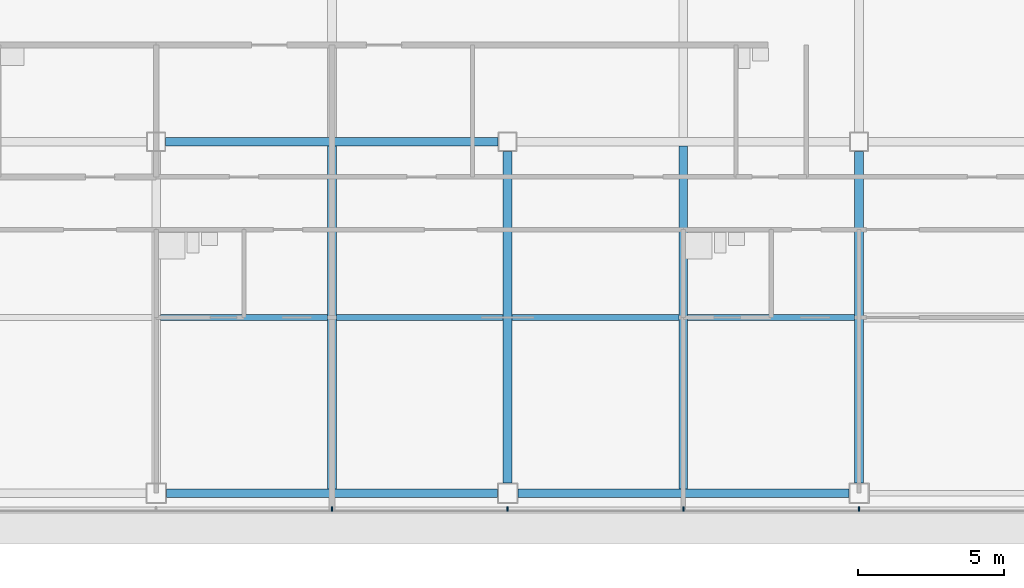
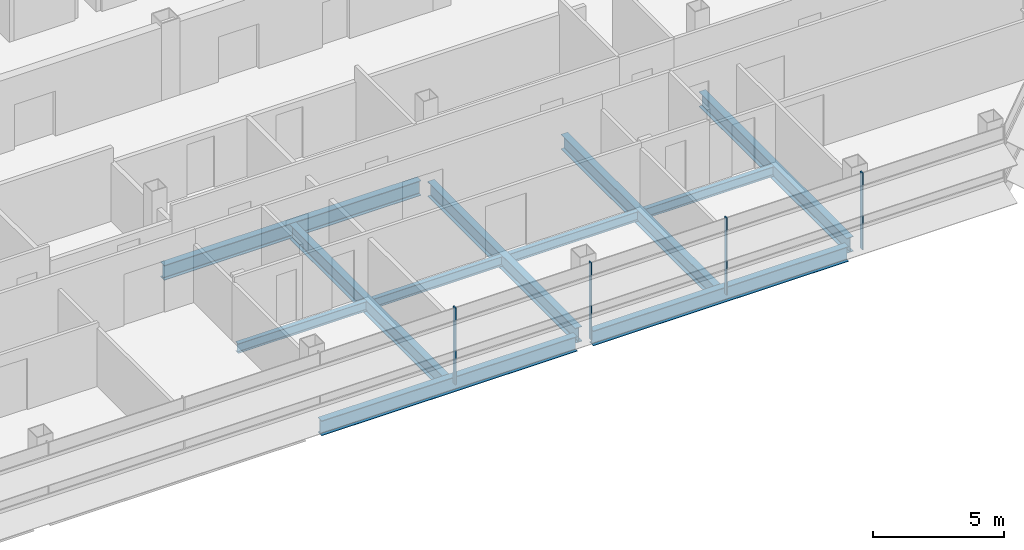
# One storey, part 8 of 24: 11 beams, 4 members, 1 element without a shape of its own.
"""IFC4 building model written with IfcOpenShell, lengths in metres."""

from ifc_helpers import new_model, si_unit, direction, frame, origin, origin_2d, place, context, subcontext, project, spatial, rectangle, i_section, extrude, material, material_profile, profile_set, type_object, element, aggregate, save


model = new_model("IFC4")

# Units and contexts
model_context = context("Model", 3, precision=1e-05, world=origin(), true_north=direction((0.0, 1.0)))
body_context = subcontext(model_context, "Body", "Model", "MODEL_VIEW")
ifc_project = project(units=[si_unit("LENGTHUNIT", "METRE"), si_unit("AREAUNIT", "SQUARE_METRE"), si_unit("VOLUMEUNIT", "CUBIC_METRE"), si_unit("PLANEANGLEUNIT", "RADIAN"), si_unit("MASSUNIT", "GRAM", prefix="KILO")], contexts=[model_context])

# Site, building, storey
site_placement = place(None, origin())
site = spatial("IfcSite", under=ifc_project, at=site_placement, CompositionType="ELEMENT")
building_placement = place(site_placement, origin())
building = spatial("IfcBuilding", under=site, at=building_placement, Name="Sorahane Residences", CompositionType="ELEMENT")
storey_placement = place(building_placement, frame((0.0, 0.0, 174.39990234375)))
storey = spatial("IfcBuildingStorey", under=building, at=storey_placement, Name="L40", CompositionType="ELEMENT", Elevation=174.39990234375)

# Curtain wall, members
ifc_material_1 = material(Name="Dark low-e glass and black anodised aluminium", Category="aluminium")
curtain_wall_type = type_object("IfcCurtainWallType", Name="Curtain wall CW-1 Typical unitised wall", PredefinedType="NOTDEFINED", material=ifc_material_1)
curtain_wall_placement = place(storey_placement, origin())
curtain_wall = element("IfcCurtainWall", 1, at=curtain_wall_placement, inside=storey, type_object=curtain_wall_type, Name="CW-1 curtain wall L40 S1", PredefinedType="NOTDEFINED")
ifc_material_2 = material(Name="Black anodised aluminium", Category="aluminium")
ifc_material_profile_1 = material_profile(ifc_material_2, rectangle(XDim=0.159912109375, YDim=0.050048828125, at=origin_2d()), Name="Curtain wall mullion CW-1 black anodised aluminium 50x160")
ifc_profile_set_1 = profile_set([ifc_material_profile_1], Name="Black anodised aluminium")
member_type = type_object("IfcMemberType", Name="Curtain wall mullion CW-1 black anodised aluminium 50x160", PredefinedType="MULLION", material=ifc_profile_set_1)
member_1_placement = place(storey_placement, frame((30.0, -0.5400390625, -0.179931640625), z_axis=(0.0, 0.0, 1.0), x_axis=(0.0, -1.0, 0.0)))
member_1 = element("IfcMember", 2, at=member_1_placement, type_object=member_type, Name="CW-1 mullion L40 S1.6", PredefinedType="MULLION", context=body_context, shape_type="SweptSolid", body=[
    extrude(rectangle(XDim=0.159912109375, YDim=0.050048828125, at=origin_2d()), origin(), (0.0, 0.0, 1.0), 3.60009765625),
])
member_2_placement = place(storey_placement, frame((36.0, -0.5400390625, -0.179931640625), z_axis=(0.0, 0.0, 1.0), x_axis=(0.0, -1.0, 0.0)))
member_2 = element("IfcMember", 3, at=member_2_placement, type_object=member_type, Name="CW-1 mullion L40 S1.7", PredefinedType="MULLION", context=body_context, shape_type="SweptSolid", body=[
    extrude(rectangle(XDim=0.159912109375, YDim=0.050048828125, at=origin_2d()), origin(), (0.0, 0.0, 1.0), 3.60009765625),
])
member_3_placement = place(storey_placement, frame((42.0, -0.5400390625, -0.179931640625), z_axis=(0.0, 0.0, 1.0), x_axis=(0.0, -1.0, 0.0)))
member_3 = element("IfcMember", 4, at=member_3_placement, type_object=member_type, Name="CW-1 mullion L40 S1.8", PredefinedType="MULLION", context=body_context, shape_type="SweptSolid", body=[
    extrude(rectangle(XDim=0.159912109375, YDim=0.050048828125, at=origin_2d()), origin(), (0.0, 0.0, 1.0), 3.60009765625),
])
member_4_placement = place(storey_placement, frame((48.0, -0.5400390625, -0.179931640625), z_axis=(0.0, 0.0, 1.0), x_axis=(0.0, -1.0, 0.0)))
member_4 = element("IfcMember", 5, at=member_4_placement, type_object=member_type, Name="CW-1 mullion L40 S1.9", PredefinedType="MULLION", context=body_context, shape_type="SweptSolid", body=[
    extrude(rectangle(XDim=0.159912109375, YDim=0.050048828125, at=origin_2d()), origin(), (0.0, 0.0, 1.0), 3.60009765625),
])
aggregate(curtain_wall, [member_1, member_2, member_3, member_4])

# Beams
ifc_material_3 = material(Name="Steel Q355B", Category="steel")
ifc_material_profile_2 = material_profile(ifc_material_3, i_section(OverallWidth=0.199951171875, OverallDepth=0.449951171875, WebThickness=0.009033203125, FlangeThickness=0.013916015625, FilletRadius=0.02001953125, at=origin_2d()), Name="HN 450x200x9x14")
ifc_profile_set_2 = profile_set([ifc_material_profile_2], Name="Steel Q355B")
beam_type_1 = type_object("IfcBeamType", Name="Steel floor beam HN 450x200x9x14 Q355B", PredefinedType="BEAM", material=ifc_profile_set_2)
for number, where, z_axis, x_axis, name in (
    (6, (24.14990234375, 6.0, -0.40478515625), (1.0, 0.0, 0.0), (0.0, 1.0, 0.0), "Beam L40 073"),
    (7, (30.14990234375, 6.0, -0.40478515625), (1.0, 0.0, 0.0), (0.0, 1.0, 0.0), "Beam L40 074"),
    (8, (36.14990234375, 6.0, -0.40478515625), (1.0, 0.0, 0.0), (0.0, 1.0, 0.0), "Beam L40 075"),
    (9, (42.14990234375, 6.0, -0.40478515625), (1.0, 0.0, 0.0), (0.0, 1.0, 0.0), "Beam L40 076"),
):
    element("IfcBeam", number, at=place(storey_placement, frame(where, z_axis=z_axis, x_axis=x_axis)), inside=storey, type_object=beam_type_1, Name=name, PredefinedType="BEAM", context=body_context, shape_type="SweptSolid", body=[
        extrude(i_section(OverallWidth=0.199951171875, OverallDepth=0.449951171875, WebThickness=0.009033203125, FlangeThickness=0.013916015625, FilletRadius=0.02001953125, at=origin_2d()), origin(), (0.0, 0.0, 1.0), 5.7001953125),
    ])
ifc_material_4 = material(Name="Steel Q355B", Category="steel")
ifc_material_profile_3 = material_profile(ifc_material_4, i_section(OverallWidth=0.300048828125, OverallDepth=0.699951171875, WebThickness=0.012939453125, FlangeThickness=0.02392578125, FilletRadius=0.028076171875, at=origin_2d()), Name="HN 700x300x13x24")
ifc_profile_set_3 = profile_set([ifc_material_profile_3], Name="Steel Q355B")
beam_type_2 = type_object("IfcBeamType", Name="Steel floor beam HN 700x300x13x24 Q355B", PredefinedType="BEAM", material=ifc_profile_set_3)
for number, where, z_axis, x_axis, name in (
    (10, (24.35009765625, 0.0, -0.52978515625), (1.0, 0.0, 0.0), (0.0, 1.0, 0.0), "Beam L40 002"),
    (11, (36.35009765625, 0.0, -0.52978515625), (1.0, 0.0, 0.0), (0.0, 1.0, 0.0), "Beam L40 003"),
):
    element("IfcBeam", number, at=place(storey_placement, frame(where, z_axis=z_axis, x_axis=x_axis)), inside=storey, type_object=beam_type_2, Name=name, PredefinedType="BEAM", context=body_context, shape_type="SweptSolid", body=[
        extrude(i_section(OverallWidth=0.300048828125, OverallDepth=0.699951171875, WebThickness=0.012939453125, FlangeThickness=0.02392578125, FilletRadius=0.028076171875, at=origin_2d()), origin(), (0.0, 0.0, 1.0), 11.2998046875),
    ])
beam_1_placement = place(storey_placement, frame((24.324951171875, 12.0, -0.52978515625), z_axis=(1.0, 0.0, 0.0), x_axis=(0.0, 1.0, 0.0)))
element("IfcBeam", 12, at=beam_1_placement, inside=storey, type_object=beam_type_2, Name="Beam L40 008", PredefinedType="BEAM", context=body_context, shape_type="SweptSolid", body=[
    extrude(i_section(OverallWidth=0.300048828125, OverallDepth=0.699951171875, WebThickness=0.012939453125, FlangeThickness=0.02392578125, FilletRadius=0.028076171875, at=origin_2d()), origin(), (0.0, 0.0, 1.0), 11.35009765625),
])
beam_2_placement = place(storey_placement, frame((30.0, 0.14990234375, -0.52978515625), z_axis=(0.0, 1.0, 0.0), x_axis=(-1.0, 0.0, 0.0)))
element("IfcBeam", 13, at=beam_2_placement, inside=storey, type_object=beam_type_2, Name="Beam L40 044", PredefinedType="BEAM", context=body_context, shape_type="SweptSolid", body=[
    extrude(i_section(OverallWidth=0.300048828125, OverallDepth=0.699951171875, WebThickness=0.012939453125, FlangeThickness=0.02392578125, FilletRadius=0.028076171875, at=origin_2d()), origin(), (0.0, 0.0, 1.0), 11.7001953125),
])
beam_3_placement = place(storey_placement, frame((36.0, 0.35009765625, -0.52978515625), z_axis=(0.0, 1.0, 0.0), x_axis=(-1.0, 0.0, 0.0)))
element("IfcBeam", 14, at=beam_3_placement, inside=storey, type_object=beam_type_2, Name="Beam L40 050", PredefinedType="BEAM", context=body_context, shape_type="SweptSolid", body=[
    extrude(i_section(OverallWidth=0.300048828125, OverallDepth=0.699951171875, WebThickness=0.012939453125, FlangeThickness=0.02392578125, FilletRadius=0.028076171875, at=origin_2d()), origin(), (0.0, 0.0, 1.0), 11.324951171875),
])
beam_4_placement = place(storey_placement, frame((42.0, 0.14990234375, -0.52978515625), z_axis=(0.0, 1.0, 0.0), x_axis=(-1.0, 0.0, 0.0)))
element("IfcBeam", 15, at=beam_4_placement, inside=storey, type_object=beam_type_2, Name="Beam L40 052", PredefinedType="BEAM", context=body_context, shape_type="SweptSolid", body=[
    extrude(i_section(OverallWidth=0.300048828125, OverallDepth=0.699951171875, WebThickness=0.012939453125, FlangeThickness=0.02392578125, FilletRadius=0.028076171875, at=origin_2d()), origin(), (0.0, 0.0, 1.0), 11.7001953125),
])
beam_5_placement = place(storey_placement, frame((48.0, 0.35009765625, -0.52978515625), z_axis=(0.0, 1.0, 0.0), x_axis=(-1.0, 0.0, 0.0)))
element("IfcBeam", 16, at=beam_5_placement, inside=storey, type_object=beam_type_2, Name="Beam L40 058", PredefinedType="BEAM", context=body_context, shape_type="SweptSolid", body=[
    extrude(i_section(OverallWidth=0.300048828125, OverallDepth=0.699951171875, WebThickness=0.012939453125, FlangeThickness=0.02392578125, FilletRadius=0.028076171875, at=origin_2d()), origin(), (0.0, 0.0, 1.0), 11.324951171875),
])

save(model, "model.ifc")
